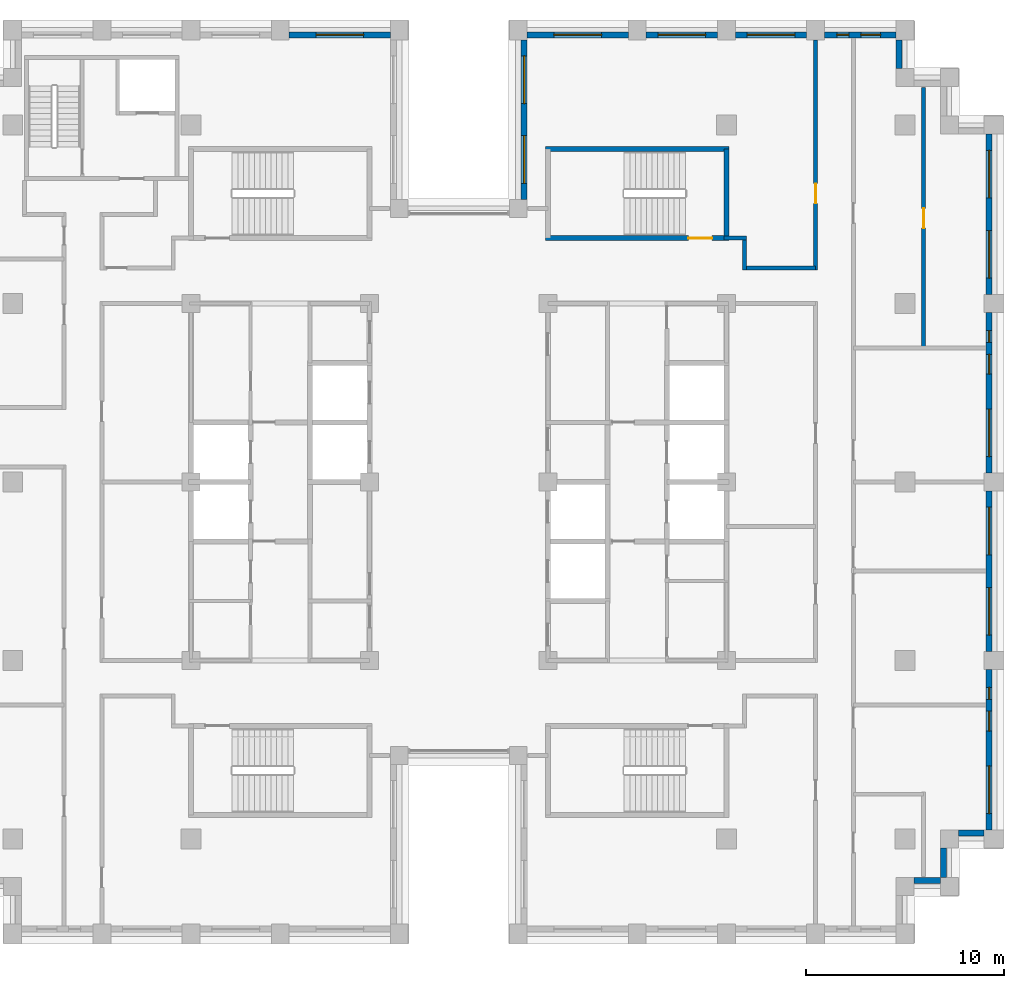
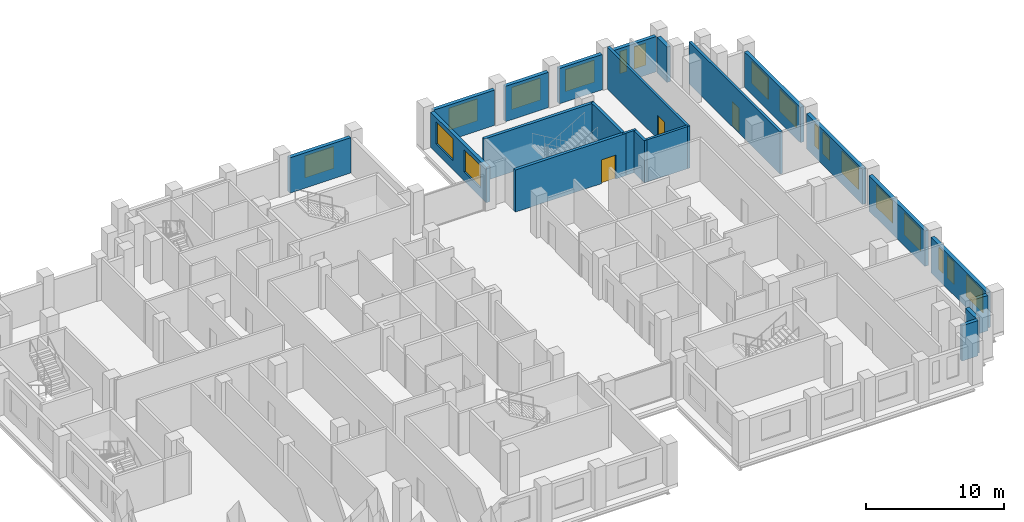
# One storey, part 11 of 15: 22 walls, 18 windows, 3 doors, 21 openings.
"""IFC4 building model written with IfcOpenShell, lengths in metres."""

from ifc_helpers import new_model, si_unit, direction, frame, frame_2d, origin, place, context, subcontext, project, spatial, rectangle, extrude, material, layer, layer_set, type_object, element, fill, save


model = new_model("IFC4")

# Units and contexts
model_context = context("Model", 3, precision=1e-05, world=origin(), true_north=direction((0.0, 1.0)))
body_context = subcontext(model_context, "Body", "Model", "MODEL_VIEW")
ifc_project = project(units=[si_unit("LENGTHUNIT", "METRE"), si_unit("AREAUNIT", "SQUARE_METRE"), si_unit("VOLUMEUNIT", "CUBIC_METRE"), si_unit("PLANEANGLEUNIT", "RADIAN"), si_unit("MASSUNIT", "GRAM", prefix="KILO")], contexts=[model_context])

# Site, building, storey
site_placement = place(None, origin())
site = spatial("IfcSite", under=ifc_project, at=site_placement, CompositionType="ELEMENT")
building_placement = place(site_placement, origin())
building = spatial("IfcBuilding", under=site, at=building_placement, Name="Corbelhall Arena Tower", CompositionType="ELEMENT")
storey_placement = place(building_placement, frame((0.0, 0.0, 200.0)))
storey = spatial("IfcBuildingStorey", under=building, at=storey_placement, Name="L41", CompositionType="ELEMENT", Elevation=200.0)

# Walls
ifc_material_1 = material(Name="Precast concrete C40/50 with granite facing", Category="masonry")
ifc_layer_1 = layer(ifc_material_1, 0.300048828125)
ifc_layer_set_1 = layer_set([ifc_layer_1], Name="EV-IW1 Infill panel 300")
wall_type_1 = type_object("IfcWallType", Name="EV-IW1 Infill panel 300", PredefinedType="SOLIDWALL", material=ifc_layer_set_1)
wall_1_placement = place(storey_placement, frame((22.949951171875, -20.10009765625, 0.0), z_axis=(0.0, 0.0, 1.0), x_axis=(1.0, 0.0, 0.0)))
element("IfcWall", 1, at=wall_1_placement, inside=storey, type_object=wall_type_1, Name="Infill panel IW1", PredefinedType="SOLIDWALL", context=body_context, shape_type="SweptSolid", body=[
    extrude(rectangle(XDim=1.35009765625, YDim=0.300048828125, at=frame_2d((0.675048828125, 0.0))), origin(), (0.0, 0.0, 1.0), 3.1201171875),
])
wall_2_placement = place(storey_placement, frame((24.449951171875, -19.949951171875, 0.0), z_axis=(0.0, 0.0, 1.0), x_axis=(0.0, 1.0, 0.0)))
element("IfcWall", 2, at=wall_2_placement, inside=storey, type_object=wall_type_1, Name="Infill panel IW1", PredefinedType="SOLIDWALL", context=body_context, shape_type="SweptSolid", body=[
    extrude(rectangle(XDim=1.5, YDim=0.300048828125, at=frame_2d((0.75, 0.0))), origin(), (0.0, 0.0, 1.0), 3.1201171875),
])
wall_3_placement = place(storey_placement, frame((25.199951171875, -17.699951171875, 0.0), z_axis=(0.0, 0.0, 1.0), x_axis=(1.0, 0.0, 0.0)))
element("IfcWall", 3, at=wall_3_placement, inside=storey, type_object=wall_type_1, Name="Infill panel IW1", PredefinedType="SOLIDWALL", context=body_context, shape_type="SweptSolid", body=[
    extrude(rectangle(XDim=1.300048828125, YDim=0.300048828125, at=frame_2d((0.64990234375, 0.0))), origin(), (0.0, 0.0, 1.0), 3.1201171875),
])

# Wall, openings, windows
wall_4_placement = place(storey_placement, frame((26.75, -17.550048828125, 0.0), z_axis=(0.0, 0.0, 1.0), x_axis=(0.0, 1.0, 0.0)))
wall_4 = element("IfcWall", 4, at=wall_4_placement, inside=storey, type_object=wall_type_1, Name="Infill panel IW1", PredefinedType="SOLIDWALL", context=body_context, shape_type="SweptSolid", body=[
    extrude(rectangle(XDim=8.10009765625, YDim=0.300048828125, at=frame_2d((4.050048828125, 0.0))), origin(), (0.0, 0.0, 1.0), 3.1201171875),
])
opening_1_placement = place(wall_4_placement, frame((0.824951171875, 0.0, 0.800048828125)))
opening_1 = element("IfcOpeningElement", 5, at=opening_1_placement, cuts=wall_4, Name="Opening WN1", PredefinedType="OPENING", context=body_context, shape_type="SweptSolid", body=[
    extrude(rectangle(XDim=2.39990234375, YDim=1.949951171875, at=frame_2d((1.199951171875, 0.97509765625))), frame((0.0, 0.14990234375, 0.0), z_axis=(0.0, -1.0, 0.0), x_axis=(1.0, 0.0, 0.0)), (0.0, 0.0, 1.0), 0.300048828125),
])
opening_2_placement = place(wall_4_placement, frame((4.987548828125, 0.0, 0.800048828125)))
opening_2 = element("IfcOpeningElement", 6, at=opening_2_placement, cuts=wall_4, Name="Opening WN6", PredefinedType="OPENING", context=body_context, shape_type="SweptSolid", body=[
    extrude(rectangle(XDim=1.0, YDim=1.949951171875, at=frame_2d((0.5, 0.97509765625))), frame((0.0, 0.14990234375, 0.0), z_axis=(0.0, -1.0, 0.0), x_axis=(1.0, 0.0, 0.0)), (0.0, 0.0, 1.0), 0.300048828125),
])
opening_3_placement = place(wall_4_placement, frame((6.58740234375, 0.0, 0.800048828125)))
opening_3 = element("IfcOpeningElement", 7, at=opening_3_placement, cuts=wall_4, Name="Opening WN5", PredefinedType="OPENING", context=body_context, shape_type="SweptSolid", body=[
    extrude(rectangle(XDim=0.60009765625, YDim=1.949951171875, at=frame_2d((0.300048828125, 0.97509765625))), frame((0.0, 0.14990234375, 0.0), z_axis=(0.0, -1.0, 0.0), x_axis=(1.0, 0.0, 0.0)), (0.0, 0.0, 1.0), 0.300048828125),
])
ifc_material_2 = material(Name="Aluminium black anodised", Category="aluminium")
window_type_1 = type_object("IfcWindowType", Name="EV-WN1 Office window", PartitioningType="SINGLE_PANEL", PredefinedType="WINDOW", material=ifc_material_2)
window_1_placement = place(opening_1_placement, origin())
window_1 = element("IfcWindow", 8, at=window_1_placement, inside=storey, type_object=window_type_1, Name="Window WN1", OverallHeight=1.949951171875, OverallWidth=2.39990234375, PartitioningType="SINGLE_PANEL", PredefinedType="WINDOW", context=body_context, shape_type="SweptSolid", body=[
    extrude(rectangle(XDim=2.39990234375, YDim=1.949951171875, at=frame_2d((1.199951171875, 0.97509765625))), frame((0.0, 0.030029296875, 0.0), z_axis=(0.0, -1.0, 0.0), x_axis=(1.0, 0.0, 0.0)), (0.0, 0.0, 1.0), 0.06005859375),
])
fill(opening_1, window_1)
window_type_2 = type_object("IfcWindowType", Name="EV-WN5 Office window 600", PartitioningType="SINGLE_PANEL", PredefinedType="WINDOW", material=ifc_material_2)
window_2_placement = place(opening_3_placement, origin())
window_2 = element("IfcWindow", 9, at=window_2_placement, inside=storey, type_object=window_type_2, Name="Window WN5", OverallHeight=1.949951171875, OverallWidth=0.60009765625, PartitioningType="SINGLE_PANEL", PredefinedType="WINDOW", context=body_context, shape_type="SweptSolid", body=[
    extrude(rectangle(XDim=0.60009765625, YDim=1.949951171875, at=frame_2d((0.300048828125, 0.97509765625))), frame((0.0, 0.030029296875, 0.0), z_axis=(0.0, -1.0, 0.0), x_axis=(1.0, 0.0, 0.0)), (0.0, 0.0, 1.0), 0.06005859375),
])
fill(opening_3, window_2)
window_type_3 = type_object("IfcWindowType", Name="EV-WN6 Office window 1000", PartitioningType="SINGLE_PANEL", PredefinedType="WINDOW", material=ifc_material_2)
window_3_placement = place(opening_2_placement, origin())
window_3 = element("IfcWindow", 10, at=window_3_placement, inside=storey, type_object=window_type_3, Name="Window WN6", OverallHeight=1.949951171875, OverallWidth=1.0, PartitioningType="SINGLE_PANEL", PredefinedType="WINDOW", context=body_context, shape_type="SweptSolid", body=[
    extrude(rectangle(XDim=1.0, YDim=1.949951171875, at=frame_2d((0.5, 0.97509765625))), frame((0.0, 0.030029296875, 0.0), z_axis=(0.0, -1.0, 0.0), x_axis=(1.0, 0.0, 0.0)), (0.0, 0.0, 1.0), 0.06005859375),
])
fill(opening_2, window_3)

wall_5_placement = place(storey_placement, frame((26.75, -8.550048828125, 0.0), z_axis=(0.0, 0.0, 1.0), x_axis=(0.0, 1.0, 0.0)))
wall_5 = element("IfcWall", 11, at=wall_5_placement, inside=storey, type_object=wall_type_1, Name="Infill panel IW1", PredefinedType="SOLIDWALL", context=body_context, shape_type="SweptSolid", body=[
    extrude(rectangle(XDim=8.10009765625, YDim=0.300048828125, at=frame_2d((4.050048828125, 0.0))), origin(), (0.0, 0.0, 1.0), 3.1201171875),
])
opening_4_placement = place(wall_5_placement, frame((0.824951171875, 0.0, 0.800048828125)))
opening_4 = element("IfcOpeningElement", 12, at=opening_4_placement, cuts=wall_5, Name="Opening WN1", PredefinedType="OPENING", context=body_context, shape_type="SweptSolid", body=[
    extrude(rectangle(XDim=2.39990234375, YDim=1.949951171875, at=frame_2d((1.199951171875, 0.97509765625))), frame((0.0, 0.14990234375, 0.0), z_axis=(0.0, -1.0, 0.0), x_axis=(1.0, 0.0, 0.0)), (0.0, 0.0, 1.0), 0.300048828125),
])
opening_5_placement = place(wall_5_placement, frame((4.875, 0.0, 0.800048828125)))
opening_5 = element("IfcOpeningElement", 13, at=opening_5_placement, cuts=wall_5, Name="Opening WN1", PredefinedType="OPENING", context=body_context, shape_type="SweptSolid", body=[
    extrude(rectangle(XDim=2.39990234375, YDim=1.949951171875, at=frame_2d((1.199951171875, 0.97509765625))), frame((0.0, 0.14990234375, 0.0), z_axis=(0.0, -1.0, 0.0), x_axis=(1.0, 0.0, 0.0)), (0.0, 0.0, 1.0), 0.300048828125),
])
window_4_placement = place(opening_4_placement, origin())
window_4 = element("IfcWindow", 14, at=window_4_placement, inside=storey, type_object=window_type_1, Name="Window WN1", OverallHeight=1.949951171875, OverallWidth=2.39990234375, PartitioningType="SINGLE_PANEL", PredefinedType="WINDOW", context=body_context, shape_type="SweptSolid", body=[
    extrude(rectangle(XDim=2.39990234375, YDim=1.949951171875, at=frame_2d((1.199951171875, 0.97509765625))), frame((0.0, 0.030029296875, 0.0), z_axis=(0.0, -1.0, 0.0), x_axis=(1.0, 0.0, 0.0)), (0.0, 0.0, 1.0), 0.06005859375),
])
fill(opening_4, window_4)
window_5_placement = place(opening_5_placement, origin())
window_5 = element("IfcWindow", 15, at=window_5_placement, inside=storey, type_object=window_type_1, Name="Window WN1", OverallHeight=1.949951171875, OverallWidth=2.39990234375, PartitioningType="SINGLE_PANEL", PredefinedType="WINDOW", context=body_context, shape_type="SweptSolid", body=[
    extrude(rectangle(XDim=2.39990234375, YDim=1.949951171875, at=frame_2d((1.199951171875, 0.97509765625))), frame((0.0, 0.030029296875, 0.0), z_axis=(0.0, -1.0, 0.0), x_axis=(1.0, 0.0, 0.0)), (0.0, 0.0, 1.0), 0.06005859375),
])
fill(opening_5, window_5)

wall_6_placement = place(storey_placement, frame((26.75, 0.449951171875, 0.0), z_axis=(0.0, 0.0, 1.0), x_axis=(0.0, 1.0, 0.0)))
wall_6 = element("IfcWall", 16, at=wall_6_placement, inside=storey, type_object=wall_type_1, Name="Infill panel IW1", PredefinedType="SOLIDWALL", context=body_context, shape_type="SweptSolid", body=[
    extrude(rectangle(XDim=8.10009765625, YDim=0.300048828125, at=frame_2d((4.050048828125, 0.0))), origin(), (0.0, 0.0, 1.0), 3.1201171875),
])
opening_6_placement = place(wall_6_placement, frame((0.824951171875, 0.0, 0.800048828125)))
opening_6 = element("IfcOpeningElement", 17, at=opening_6_placement, cuts=wall_6, Name="Opening WN1", PredefinedType="OPENING", context=body_context, shape_type="SweptSolid", body=[
    extrude(rectangle(XDim=2.39990234375, YDim=1.949951171875, at=frame_2d((1.199951171875, 0.97509765625))), frame((0.0, 0.14990234375, 0.0), z_axis=(0.0, -1.0, 0.0), x_axis=(1.0, 0.0, 0.0)), (0.0, 0.0, 1.0), 0.300048828125),
])
opening_7_placement = place(wall_6_placement, frame((4.987548828125, 0.0, 0.800048828125)))
opening_7 = element("IfcOpeningElement", 18, at=opening_7_placement, cuts=wall_6, Name="Opening WN6", PredefinedType="OPENING", context=body_context, shape_type="SweptSolid", body=[
    extrude(rectangle(XDim=1.0, YDim=1.949951171875, at=frame_2d((0.5, 0.97509765625))), frame((0.0, 0.14990234375, 0.0), z_axis=(0.0, -1.0, 0.0), x_axis=(1.0, 0.0, 0.0)), (0.0, 0.0, 1.0), 0.300048828125),
])
opening_8_placement = place(wall_6_placement, frame((6.58740234375, 0.0, 0.800048828125)))
opening_8 = element("IfcOpeningElement", 19, at=opening_8_placement, cuts=wall_6, Name="Opening WN5", PredefinedType="OPENING", context=body_context, shape_type="SweptSolid", body=[
    extrude(rectangle(XDim=0.60009765625, YDim=1.949951171875, at=frame_2d((0.300048828125, 0.97509765625))), frame((0.0, 0.14990234375, 0.0), z_axis=(0.0, -1.0, 0.0), x_axis=(1.0, 0.0, 0.0)), (0.0, 0.0, 1.0), 0.300048828125),
])
window_6_placement = place(opening_6_placement, origin())
window_6 = element("IfcWindow", 20, at=window_6_placement, inside=storey, type_object=window_type_1, Name="Window WN1", OverallHeight=1.949951171875, OverallWidth=2.39990234375, PartitioningType="SINGLE_PANEL", PredefinedType="WINDOW", context=body_context, shape_type="SweptSolid", body=[
    extrude(rectangle(XDim=2.39990234375, YDim=1.949951171875, at=frame_2d((1.199951171875, 0.97509765625))), frame((0.0, 0.030029296875, 0.0), z_axis=(0.0, -1.0, 0.0), x_axis=(1.0, 0.0, 0.0)), (0.0, 0.0, 1.0), 0.06005859375),
])
fill(opening_6, window_6)
window_7_placement = place(opening_8_placement, origin())
window_7 = element("IfcWindow", 21, at=window_7_placement, inside=storey, type_object=window_type_2, Name="Window WN5", OverallHeight=1.949951171875, OverallWidth=0.60009765625, PartitioningType="SINGLE_PANEL", PredefinedType="WINDOW", context=body_context, shape_type="SweptSolid", body=[
    extrude(rectangle(XDim=0.60009765625, YDim=1.949951171875, at=frame_2d((0.300048828125, 0.97509765625))), frame((0.0, 0.030029296875, 0.0), z_axis=(0.0, -1.0, 0.0), x_axis=(1.0, 0.0, 0.0)), (0.0, 0.0, 1.0), 0.06005859375),
])
fill(opening_8, window_7)
window_8_placement = place(opening_7_placement, origin())
window_8 = element("IfcWindow", 22, at=window_8_placement, inside=storey, type_object=window_type_3, Name="Window WN6", OverallHeight=1.949951171875, OverallWidth=1.0, PartitioningType="SINGLE_PANEL", PredefinedType="WINDOW", context=body_context, shape_type="SweptSolid", body=[
    extrude(rectangle(XDim=1.0, YDim=1.949951171875, at=frame_2d((0.5, 0.97509765625))), frame((0.0, 0.030029296875, 0.0), z_axis=(0.0, -1.0, 0.0), x_axis=(1.0, 0.0, 0.0)), (0.0, 0.0, 1.0), 0.06005859375),
])
fill(opening_7, window_8)

wall_7_placement = place(storey_placement, frame((26.75, 9.449951171875, 0.0), z_axis=(0.0, 0.0, 1.0), x_axis=(0.0, 1.0, 0.0)))
wall_7 = element("IfcWall", 23, at=wall_7_placement, inside=storey, type_object=wall_type_1, Name="Infill panel IW1", PredefinedType="SOLIDWALL", context=body_context, shape_type="SweptSolid", body=[
    extrude(rectangle(XDim=8.10009765625, YDim=0.300048828125, at=frame_2d((4.050048828125, 0.0))), origin(), (0.0, 0.0, 1.0), 3.1201171875),
])
opening_9_placement = place(wall_7_placement, frame((0.824951171875, 0.0, 0.800048828125)))
opening_9 = element("IfcOpeningElement", 24, at=opening_9_placement, cuts=wall_7, Name="Opening WN1", PredefinedType="OPENING", context=body_context, shape_type="SweptSolid", body=[
    extrude(rectangle(XDim=2.39990234375, YDim=1.949951171875, at=frame_2d((1.199951171875, 0.97509765625))), frame((0.0, 0.14990234375, 0.0), z_axis=(0.0, -1.0, 0.0), x_axis=(1.0, 0.0, 0.0)), (0.0, 0.0, 1.0), 0.300048828125),
])
opening_10_placement = place(wall_7_placement, frame((4.875, 0.0, 0.800048828125)))
opening_10 = element("IfcOpeningElement", 25, at=opening_10_placement, cuts=wall_7, Name="Opening WN1", PredefinedType="OPENING", context=body_context, shape_type="SweptSolid", body=[
    extrude(rectangle(XDim=2.39990234375, YDim=1.949951171875, at=frame_2d((1.199951171875, 0.97509765625))), frame((0.0, 0.14990234375, 0.0), z_axis=(0.0, -1.0, 0.0), x_axis=(1.0, 0.0, 0.0)), (0.0, 0.0, 1.0), 0.300048828125),
])
window_9_placement = place(opening_9_placement, origin())
window_9 = element("IfcWindow", 26, at=window_9_placement, inside=storey, type_object=window_type_1, Name="Window WN1", OverallHeight=1.949951171875, OverallWidth=2.39990234375, PartitioningType="SINGLE_PANEL", PredefinedType="WINDOW", context=body_context, shape_type="SweptSolid", body=[
    extrude(rectangle(XDim=2.39990234375, YDim=1.949951171875, at=frame_2d((1.199951171875, 0.97509765625))), frame((0.0, 0.030029296875, 0.0), z_axis=(0.0, -1.0, 0.0), x_axis=(1.0, 0.0, 0.0)), (0.0, 0.0, 1.0), 0.06005859375),
])
fill(opening_9, window_9)
window_10_placement = place(opening_10_placement, origin())
window_10 = element("IfcWindow", 27, at=window_10_placement, inside=storey, type_object=window_type_1, Name="Window WN1", OverallHeight=1.949951171875, OverallWidth=2.39990234375, PartitioningType="SINGLE_PANEL", PredefinedType="WINDOW", context=body_context, shape_type="SweptSolid", body=[
    extrude(rectangle(XDim=2.39990234375, YDim=1.949951171875, at=frame_2d((1.199951171875, 0.97509765625))), frame((0.0, 0.030029296875, 0.0), z_axis=(0.0, -1.0, 0.0), x_axis=(1.0, 0.0, 0.0)), (0.0, 0.0, 1.0), 0.06005859375),
])
fill(opening_10, window_10)

# Wall
wall_8_placement = place(storey_placement, frame((22.199951171875, 20.85009765625, 0.0), z_axis=(0.0, 0.0, 1.0), x_axis=(0.0, 1.0, 0.0)))
element("IfcWall", 28, at=wall_8_placement, inside=storey, type_object=wall_type_1, Name="Infill panel IW1", PredefinedType="SOLIDWALL", context=body_context, shape_type="SweptSolid", body=[
    extrude(rectangle(XDim=1.449951171875, YDim=0.300048828125, at=frame_2d((0.72509765625, 0.0))), origin(), (0.0, 0.0, 1.0), 3.1201171875),
])

# Wall, openings, windows
wall_9_placement = place(storey_placement, frame((22.050048828125, 22.550048828125, 0.0), z_axis=(0.0, 0.0, 1.0), x_axis=(-1.0, 0.0, 0.0)))
wall_9 = element("IfcWall", 29, at=wall_9_placement, inside=storey, type_object=wall_type_1, Name="Infill panel IW1", PredefinedType="SOLIDWALL", context=body_context, shape_type="SweptSolid", body=[
    extrude(rectangle(XDim=3.60009765625, YDim=0.300048828125, at=frame_2d((1.800048828125, 0.0))), origin(), (0.0, 0.0, 1.0), 3.1201171875),
])
opening_11_placement = place(wall_9_placement, frame((0.77490234375, 0.0, 0.800048828125)))
opening_11 = element("IfcOpeningElement", 30, at=opening_11_placement, cuts=wall_9, Name="Opening WN6", PredefinedType="OPENING", context=body_context, shape_type="SweptSolid", body=[
    extrude(rectangle(XDim=1.0, YDim=1.949951171875, at=frame_2d((0.5, 0.97509765625))), frame((0.0, 0.14990234375, 0.0), z_axis=(0.0, -1.0, 0.0), x_axis=(1.0, 0.0, 0.0)), (0.0, 0.0, 1.0), 0.300048828125),
])
opening_12_placement = place(wall_9_placement, frame((2.375, 0.0, 0.800048828125)))
opening_12 = element("IfcOpeningElement", 31, at=opening_12_placement, cuts=wall_9, Name="Opening WN5", PredefinedType="OPENING", context=body_context, shape_type="SweptSolid", body=[
    extrude(rectangle(XDim=0.60009765625, YDim=1.949951171875, at=frame_2d((0.300048828125, 0.97509765625))), frame((0.0, 0.14990234375, 0.0), z_axis=(0.0, -1.0, 0.0), x_axis=(1.0, 0.0, 0.0)), (0.0, 0.0, 1.0), 0.300048828125),
])
window_11_placement = place(opening_12_placement, origin())
window_11 = element("IfcWindow", 32, at=window_11_placement, inside=storey, type_object=window_type_2, Name="Window WN5", OverallHeight=1.949951171875, OverallWidth=0.60009765625, PartitioningType="SINGLE_PANEL", PredefinedType="WINDOW", context=body_context, shape_type="SweptSolid", body=[
    extrude(rectangle(XDim=0.60009765625, YDim=1.949951171875, at=frame_2d((0.300048828125, 0.97509765625))), frame((0.0, 0.030029296875, 0.0), z_axis=(0.0, -1.0, 0.0), x_axis=(1.0, 0.0, 0.0)), (0.0, 0.0, 1.0), 0.06005859375),
])
fill(opening_12, window_11)
window_12_placement = place(opening_11_placement, origin())
window_12 = element("IfcWindow", 33, at=window_12_placement, inside=storey, type_object=window_type_3, Name="Window WN6", OverallHeight=1.949951171875, OverallWidth=1.0, PartitioningType="SINGLE_PANEL", PredefinedType="WINDOW", context=body_context, shape_type="SweptSolid", body=[
    extrude(rectangle(XDim=1.0, YDim=1.949951171875, at=frame_2d((0.5, 0.97509765625))), frame((0.0, 0.030029296875, 0.0), z_axis=(0.0, -1.0, 0.0), x_axis=(1.0, 0.0, 0.0)), (0.0, 0.0, 1.0), 0.06005859375),
])
fill(opening_11, window_12)

# Wall, opening, window
wall_10_placement = place(storey_placement, frame((17.550048828125, 22.550048828125, 0.0), z_axis=(0.0, 0.0, 1.0), x_axis=(-1.0, 0.0, 0.0)))
wall_10 = element("IfcWall", 34, at=wall_10_placement, inside=storey, type_object=wall_type_1, Name="Infill panel IW1", PredefinedType="SOLIDWALL", context=body_context, shape_type="SweptSolid", body=[
    extrude(rectangle(XDim=3.60009765625, YDim=0.300048828125, at=frame_2d((1.800048828125, 0.0))), origin(), (0.0, 0.0, 1.0), 3.1201171875),
])
opening_13_placement = place(wall_10_placement, frame((0.60009765625, 0.0, 0.800048828125)))
opening_13 = element("IfcOpeningElement", 35, at=opening_13_placement, cuts=wall_10, Name="Opening WN1", PredefinedType="OPENING", context=body_context, shape_type="SweptSolid", body=[
    extrude(rectangle(XDim=2.39990234375, YDim=1.949951171875, at=frame_2d((1.199951171875, 0.97509765625))), frame((0.0, 0.14990234375, 0.0), z_axis=(0.0, -1.0, 0.0), x_axis=(1.0, 0.0, 0.0)), (0.0, 0.0, 1.0), 0.300048828125),
])
window_13_placement = place(opening_13_placement, origin())
window_13 = element("IfcWindow", 36, at=window_13_placement, inside=storey, type_object=window_type_1, Name="Window WN1", OverallHeight=1.949951171875, OverallWidth=2.39990234375, PartitioningType="SINGLE_PANEL", PredefinedType="WINDOW", context=body_context, shape_type="SweptSolid", body=[
    extrude(rectangle(XDim=2.39990234375, YDim=1.949951171875, at=frame_2d((1.199951171875, 0.97509765625))), frame((0.0, 0.030029296875, 0.0), z_axis=(0.0, -1.0, 0.0), x_axis=(1.0, 0.0, 0.0)), (0.0, 0.0, 1.0), 0.06005859375),
])
fill(opening_13, window_13)

wall_11_placement = place(storey_placement, frame((13.050048828125, 22.550048828125, 0.0), z_axis=(0.0, 0.0, 1.0), x_axis=(-1.0, 0.0, 0.0)))
wall_11 = element("IfcWall", 37, at=wall_11_placement, inside=storey, type_object=wall_type_1, Name="Infill panel IW1", PredefinedType="SOLIDWALL", context=body_context, shape_type="SweptSolid", body=[
    extrude(rectangle(XDim=3.60009765625, YDim=0.300048828125, at=frame_2d((1.800048828125, 0.0))), origin(), (0.0, 0.0, 1.0), 3.1201171875),
])
opening_14_placement = place(wall_11_placement, frame((0.60009765625, 0.0, 0.800048828125)))
opening_14 = element("IfcOpeningElement", 38, at=opening_14_placement, cuts=wall_11, Name="Opening WN1", PredefinedType="OPENING", context=body_context, shape_type="SweptSolid", body=[
    extrude(rectangle(XDim=2.39990234375, YDim=1.949951171875, at=frame_2d((1.199951171875, 0.97509765625))), frame((0.0, 0.14990234375, 0.0), z_axis=(0.0, -1.0, 0.0), x_axis=(1.0, 0.0, 0.0)), (0.0, 0.0, 1.0), 0.300048828125),
])
window_14_placement = place(opening_14_placement, origin())
window_14 = element("IfcWindow", 39, at=window_14_placement, inside=storey, type_object=window_type_1, Name="Window WN1", OverallHeight=1.949951171875, OverallWidth=2.39990234375, PartitioningType="SINGLE_PANEL", PredefinedType="WINDOW", context=body_context, shape_type="SweptSolid", body=[
    extrude(rectangle(XDim=2.39990234375, YDim=1.949951171875, at=frame_2d((1.199951171875, 0.97509765625))), frame((0.0, 0.030029296875, 0.0), z_axis=(0.0, -1.0, 0.0), x_axis=(1.0, 0.0, 0.0)), (0.0, 0.0, 1.0), 0.06005859375),
])
fill(opening_14, window_14)

wall_12_placement = place(storey_placement, frame((8.550048828125, 22.550048828125, 0.0), z_axis=(0.0, 0.0, 1.0), x_axis=(-1.0, 0.0, 0.0)))
wall_12 = element("IfcWall", 40, at=wall_12_placement, inside=storey, type_object=wall_type_1, Name="Infill panel IW1", PredefinedType="SOLIDWALL", context=body_context, shape_type="SweptSolid", body=[
    extrude(rectangle(XDim=5.10009765625, YDim=0.300048828125, at=frame_2d((2.550048828125, 0.0))), origin(), (0.0, 0.0, 1.0), 3.1201171875),
])
opening_15_placement = place(wall_12_placement, frame((1.35009765625, 0.0, 0.800048828125)))
opening_15 = element("IfcOpeningElement", 41, at=opening_15_placement, cuts=wall_12, Name="Opening WN1", PredefinedType="OPENING", context=body_context, shape_type="SweptSolid", body=[
    extrude(rectangle(XDim=2.39990234375, YDim=1.949951171875, at=frame_2d((1.199951171875, 0.97509765625))), frame((0.0, 0.14990234375, 0.0), z_axis=(0.0, -1.0, 0.0), x_axis=(1.0, 0.0, 0.0)), (0.0, 0.0, 1.0), 0.300048828125),
])
window_15_placement = place(opening_15_placement, origin())
window_15 = element("IfcWindow", 42, at=window_15_placement, inside=storey, type_object=window_type_1, Name="Window WN1", OverallHeight=1.949951171875, OverallWidth=2.39990234375, PartitioningType="SINGLE_PANEL", PredefinedType="WINDOW", context=body_context, shape_type="SweptSolid", body=[
    extrude(rectangle(XDim=2.39990234375, YDim=1.949951171875, at=frame_2d((1.199951171875, 0.97509765625))), frame((0.0, 0.030029296875, 0.0), z_axis=(0.0, -1.0, 0.0), x_axis=(1.0, 0.0, 0.0)), (0.0, 0.0, 1.0), 0.06005859375),
])
fill(opening_15, window_15)

# Wall, openings, windows
wall_13_placement = place(storey_placement, frame((3.300048828125, 22.300048828125, 0.0), z_axis=(0.0, 0.0, 1.0), x_axis=(0.0, -1.0, 0.0)))
wall_13 = element("IfcWall", 43, at=wall_13_placement, inside=storey, type_object=wall_type_1, Name="Infill panel IW1", PredefinedType="SOLIDWALL", context=body_context, shape_type="SweptSolid", body=[
    extrude(rectangle(XDim=8.050048828125, YDim=0.300048828125, at=frame_2d((4.02490234375, 0.0))), origin(), (0.0, 0.0, 1.0), 3.1201171875),
])
opening_16_placement = place(wall_13_placement, frame((0.8125, 0.0, 0.800048828125)))
opening_16 = element("IfcOpeningElement", 44, at=opening_16_placement, cuts=wall_13, Name="Opening WN1", PredefinedType="OPENING", context=body_context, shape_type="SweptSolid", body=[
    extrude(rectangle(XDim=2.39990234375, YDim=1.949951171875, at=frame_2d((1.199951171875, 0.97509765625))), frame((0.0, 0.14990234375, 0.0), z_axis=(0.0, -1.0, 0.0), x_axis=(1.0, 0.0, 0.0)), (0.0, 0.0, 1.0), 0.300048828125),
])
opening_17_placement = place(wall_13_placement, frame((4.83740234375, 0.0, 0.800048828125)))
opening_17 = element("IfcOpeningElement", 45, at=opening_17_placement, cuts=wall_13, Name="Opening WN1", PredefinedType="OPENING", context=body_context, shape_type="SweptSolid", body=[
    extrude(rectangle(XDim=2.39990234375, YDim=1.949951171875, at=frame_2d((1.199951171875, 0.97509765625))), frame((0.0, 0.14990234375, 0.0), z_axis=(0.0, -1.0, 0.0), x_axis=(1.0, 0.0, 0.0)), (0.0, 0.0, 1.0), 0.300048828125),
])
window_16_placement = place(opening_16_placement, origin())
window_16 = element("IfcWindow", 46, at=window_16_placement, inside=storey, type_object=window_type_1, Name="Window WN1", OverallHeight=1.949951171875, OverallWidth=2.39990234375, PartitioningType="SINGLE_PANEL", PredefinedType="WINDOW", context=body_context, shape_type="SweptSolid", body=[
    extrude(rectangle(XDim=2.39990234375, YDim=1.949951171875, at=frame_2d((1.199951171875, 0.97509765625))), frame((0.0, 0.030029296875, 0.0), z_axis=(0.0, -1.0, 0.0), x_axis=(1.0, 0.0, 0.0)), (0.0, 0.0, 1.0), 0.06005859375),
])
fill(opening_16, window_16)
window_17_placement = place(opening_17_placement, origin())
window_17 = element("IfcWindow", 47, at=window_17_placement, inside=storey, type_object=window_type_1, Name="Window WN1", OverallHeight=1.949951171875, OverallWidth=2.39990234375, PartitioningType="SINGLE_PANEL", PredefinedType="WINDOW", context=body_context, shape_type="SweptSolid", body=[
    extrude(rectangle(XDim=2.39990234375, YDim=1.949951171875, at=frame_2d((1.199951171875, 0.97509765625))), frame((0.0, 0.030029296875, 0.0), z_axis=(0.0, -1.0, 0.0), x_axis=(1.0, 0.0, 0.0)), (0.0, 0.0, 1.0), 0.06005859375),
])
fill(opening_17, window_17)

# Wall, opening, window
wall_14_placement = place(storey_placement, frame((-3.449951171875, 22.550048828125, 0.0), z_axis=(0.0, 0.0, 1.0), x_axis=(-1.0, 0.0, 0.0)))
wall_14 = element("IfcWall", 48, at=wall_14_placement, inside=storey, type_object=wall_type_1, Name="Infill panel IW1", PredefinedType="SOLIDWALL", context=body_context, shape_type="SweptSolid", body=[
    extrude(rectangle(XDim=5.10009765625, YDim=0.300048828125, at=frame_2d((2.550048828125, 0.0))), origin(), (0.0, 0.0, 1.0), 3.1201171875),
])
opening_18_placement = place(wall_14_placement, frame((1.35009765625, 0.0, 0.800048828125)))
opening_18 = element("IfcOpeningElement", 49, at=opening_18_placement, cuts=wall_14, Name="Opening WN1", PredefinedType="OPENING", context=body_context, shape_type="SweptSolid", body=[
    extrude(rectangle(XDim=2.39990234375, YDim=1.949951171875, at=frame_2d((1.199951171875, 0.97509765625))), frame((0.0, 0.14990234375, 0.0), z_axis=(0.0, -1.0, 0.0), x_axis=(1.0, 0.0, 0.0)), (0.0, 0.0, 1.0), 0.300048828125),
])
window_18_placement = place(opening_18_placement, origin())
window_18 = element("IfcWindow", 50, at=window_18_placement, inside=storey, type_object=window_type_1, Name="Window WN1", OverallHeight=1.949951171875, OverallWidth=2.39990234375, PartitioningType="SINGLE_PANEL", PredefinedType="WINDOW", context=body_context, shape_type="SweptSolid", body=[
    extrude(rectangle(XDim=2.39990234375, YDim=1.949951171875, at=frame_2d((1.199951171875, 0.97509765625))), frame((0.0, 0.030029296875, 0.0), z_axis=(0.0, -1.0, 0.0), x_axis=(1.0, 0.0, 0.0)), (0.0, 0.0, 1.0), 0.06005859375),
])
fill(opening_18, window_18)

# Walls
ifc_material_3 = material(Name="Gypsum board on steel stud, acoustic", Category="steel")
ifc_layer_2 = layer(ifc_material_3, 0.199951171875)
ifc_layer_set_2 = layer_set([ifc_layer_2], Name="IN-W-DM200")
wall_type_2 = type_object("IfcWallType", Name="IN-W-DM200", PredefinedType="PARTITIONING", material=ifc_layer_set_2)
wall_15_placement = place(storey_placement, frame((13.375, 12.300048828125, 0.0), z_axis=(0.0, 0.0, 1.0), x_axis=(1.0, 0.0, 0.0)))
element("IfcWall", 51, at=wall_15_placement, inside=storey, type_object=wall_type_2, Name="Partition 036", PredefinedType="PARTITIONING", context=body_context, shape_type="SweptSolid", body=[
    extrude(rectangle(XDim=1.125, YDim=0.199951171875, at=frame_2d((0.5625, 0.0))), origin(), (0.0, 0.0, 1.0), 3.719970703125),
])
wall_16_placement = place(storey_placement, frame((14.39990234375, 10.800048828125, 0.0), z_axis=(0.0, 0.0, 1.0), x_axis=(1.0, 0.0, 0.0)))
element("IfcWall", 52, at=wall_16_placement, inside=storey, type_object=wall_type_2, Name="Partition 042", PredefinedType="PARTITIONING", context=body_context, shape_type="SweptSolid", body=[
    extrude(rectangle(XDim=3.60009765625, YDim=0.199951171875, at=frame_2d((1.800048828125, 0.0))), origin(), (0.0, 0.0, 1.0), 3.719970703125),
])
wall_17_placement = place(storey_placement, frame((14.39990234375, 12.300048828125, 0.0), z_axis=(0.0, 0.0, 1.0), x_axis=(0.0, -1.0, 0.0)))
element("IfcWall", 53, at=wall_17_placement, inside=storey, type_object=wall_type_2, Name="Partition 043", PredefinedType="PARTITIONING", context=body_context, shape_type="SweptSolid", body=[
    extrude(rectangle(XDim=1.60009765625, YDim=0.199951171875, at=frame_2d((0.800048828125, 0.0))), origin(), (0.0, 0.0, 1.0), 3.719970703125),
])

# Wall, opening, door
wall_18_placement = place(storey_placement, frame((18.0, 10.699951171875, 0.0), z_axis=(0.0, 0.0, 1.0), x_axis=(0.0, 1.0, 0.0)))
wall_18 = element("IfcWall", 54, at=wall_18_placement, inside=storey, type_object=wall_type_2, Name="Partition 047", PredefinedType="PARTITIONING", context=body_context, shape_type="SweptSolid", body=[
    extrude(rectangle(XDim=11.60009765625, YDim=0.199951171875, at=frame_2d((5.800048828125, 0.0))), origin(), (0.0, 0.0, 1.0), 3.719970703125),
])
opening_19_placement = place(wall_18_placement, frame((3.35009765625, 0.0, 0.0)))
opening_19 = element("IfcOpeningElement", 55, at=opening_19_placement, cuts=wall_18, Name="Opening 12028", PredefinedType="OPENING", context=body_context, shape_type="SweptSolid", body=[
    extrude(rectangle(XDim=1.0, YDim=2.10009765625, at=frame_2d((0.5, 1.050048828125))), frame((0.0, 0.10009765625, 0.0), z_axis=(0.0, -1.0, 0.0), x_axis=(1.0, 0.0, 0.0)), (0.0, 0.0, 1.0), 0.199951171875),
])
ifc_material_4 = material(Name="Steel door set", Category="steel")
door_type_1 = type_object("IfcDoorType", Name="IN-D-SW100", OperationType="NOTDEFINED", PredefinedType="DOOR", material=ifc_material_4)
door_1_placement = place(opening_19_placement, origin())
door_1 = element("IfcDoor", 56, at=door_1_placement, inside=storey, type_object=door_type_1, Name="Door 028", OperationType="SINGLE_SWING_LEFT", OverallHeight=2.10009765625, OverallWidth=1.0, PredefinedType="DOOR", context=body_context, shape_type="SweptSolid", body=[
    extrude(rectangle(XDim=1.0, YDim=2.10009765625, at=frame_2d((0.5, 1.050048828125))), frame((0.0, 0.02490234375, 0.0), z_axis=(0.0, -1.0, 0.0), x_axis=(1.0, 0.0, 0.0)), (0.0, 0.0, 1.0), 0.050048828125),
])
fill(opening_19, door_1)

wall_19_placement = place(storey_placement, frame((23.449951171875, 19.89990234375, 0.0), z_axis=(0.0, 0.0, 1.0), x_axis=(0.0, -1.0, 0.0)))
wall_19 = element("IfcWall", 57, at=wall_19_placement, inside=storey, type_object=wall_type_2, Name="Partition 055", PredefinedType="PARTITIONING", context=body_context, shape_type="SweptSolid", body=[
    extrude(rectangle(XDim=13.14990234375, YDim=0.199951171875, at=frame_2d((6.574951171875, 0.0))), origin(), (0.0, 0.0, 1.0), 3.719970703125),
])
opening_20_placement = place(wall_19_placement, frame((6.10009765625, 0.0, 0.0)))
opening_20 = element("IfcOpeningElement", 58, at=opening_20_placement, cuts=wall_19, Name="Opening 12038", PredefinedType="OPENING", context=body_context, shape_type="SweptSolid", body=[
    extrude(rectangle(XDim=1.0, YDim=2.10009765625, at=frame_2d((0.5, 1.050048828125))), frame((0.0, 0.10009765625, 0.0), z_axis=(0.0, -1.0, 0.0), x_axis=(1.0, 0.0, 0.0)), (0.0, 0.0, 1.0), 0.199951171875),
])
door_2_placement = place(opening_20_placement, origin())
door_2 = element("IfcDoor", 59, at=door_2_placement, inside=storey, type_object=door_type_1, Name="Door 038", OperationType="SINGLE_SWING_LEFT", OverallHeight=2.10009765625, OverallWidth=1.0, PredefinedType="DOOR", context=body_context, shape_type="SweptSolid", body=[
    extrude(rectangle(XDim=1.0, YDim=2.10009765625, at=frame_2d((0.5, 1.050048828125))), frame((0.0, 0.02490234375, 0.0), z_axis=(0.0, -1.0, 0.0), x_axis=(1.0, 0.0, 0.0)), (0.0, 0.0, 1.0), 0.050048828125),
])
fill(opening_20, door_2)

ifc_material_5 = material(Name="Concrete C40/50", Category="concrete")
ifc_layer_3 = layer(ifc_material_5, 0.25)
ifc_layer_set_3 = layer_set([ifc_layer_3], Name="IN-W-ST250")
wall_type_3 = type_object("IfcWallType", Name="IN-W-ST250", PredefinedType="SOLIDWALL", material=ifc_layer_set_3)
wall_20_placement = place(storey_placement, frame((4.375, 12.300048828125, 0.0), z_axis=(0.0, 0.0, 1.0), x_axis=(1.0, 0.0, 0.0)))
wall_20 = element("IfcWall", 60, at=wall_20_placement, inside=storey, type_object=wall_type_3, Name="Shaft wall 110", PredefinedType="SOLIDWALL", context=body_context, shape_type="SweptSolid", body=[
    extrude(rectangle(XDim=9.25, YDim=0.25, at=frame_2d((4.625, 0.0))), origin(), (0.0, 0.0, 1.0), 3.719970703125),
])
opening_21_placement = place(wall_20_placement, frame((7.199951171875, 0.0, 0.0)))
opening_21 = element("IfcOpeningElement", 61, at=opening_21_placement, cuts=wall_20, Name="Opening 12019", PredefinedType="OPENING", context=body_context, shape_type="SweptSolid", body=[
    extrude(rectangle(XDim=1.199951171875, YDim=2.10009765625, at=frame_2d((0.60009765625, 1.050048828125))), frame((0.0, 0.125, 0.0), z_axis=(0.0, -1.0, 0.0), x_axis=(1.0, 0.0, 0.0)), (0.0, 0.0, 1.0), 0.25),
])
door_type_2 = type_object("IfcDoorType", Name="IN-D-ST120", OperationType="NOTDEFINED", PredefinedType="DOOR", material=ifc_material_4)
door_3_placement = place(opening_21_placement, origin())
door_3 = element("IfcDoor", 62, at=door_3_placement, inside=storey, type_object=door_type_2, Name="Door 019", OperationType="SINGLE_SWING_RIGHT", OverallHeight=2.10009765625, OverallWidth=1.199951171875, PredefinedType="DOOR", context=body_context, shape_type="SweptSolid", body=[
    extrude(rectangle(XDim=1.199951171875, YDim=2.10009765625, at=frame_2d((0.60009765625, 1.050048828125))), frame((0.0, 0.02490234375, 0.0), z_axis=(0.0, -1.0, 0.0), x_axis=(1.0, 0.0, 0.0)), (0.0, 0.0, 1.0), 0.050048828125),
])
fill(opening_21, door_3)

# Walls
wall_21_placement = place(storey_placement, frame((4.375, 16.800048828125, 0.0), z_axis=(0.0, 0.0, 1.0), x_axis=(1.0, 0.0, 0.0)))
element("IfcWall", 63, at=wall_21_placement, inside=storey, type_object=wall_type_3, Name="Shaft wall 111", PredefinedType="SOLIDWALL", context=body_context, shape_type="SweptSolid", body=[
    extrude(rectangle(XDim=9.25, YDim=0.25, at=frame_2d((4.625, 0.0))), origin(), (0.0, 0.0, 1.0), 3.719970703125),
])
wall_22_placement = place(storey_placement, frame((13.5, 16.800048828125, 0.0), z_axis=(0.0, 0.0, 1.0), x_axis=(0.0, -1.0, 0.0)))
element("IfcWall", 64, at=wall_22_placement, inside=storey, type_object=wall_type_3, Name="Shaft wall 116", PredefinedType="SOLIDWALL", context=body_context, shape_type="SweptSolid", body=[
    extrude(rectangle(XDim=4.5, YDim=0.25, at=frame_2d((2.25, 0.0))), origin(), (0.0, 0.0, 1.0), 3.719970703125),
])

save(model, "model.ifc")
